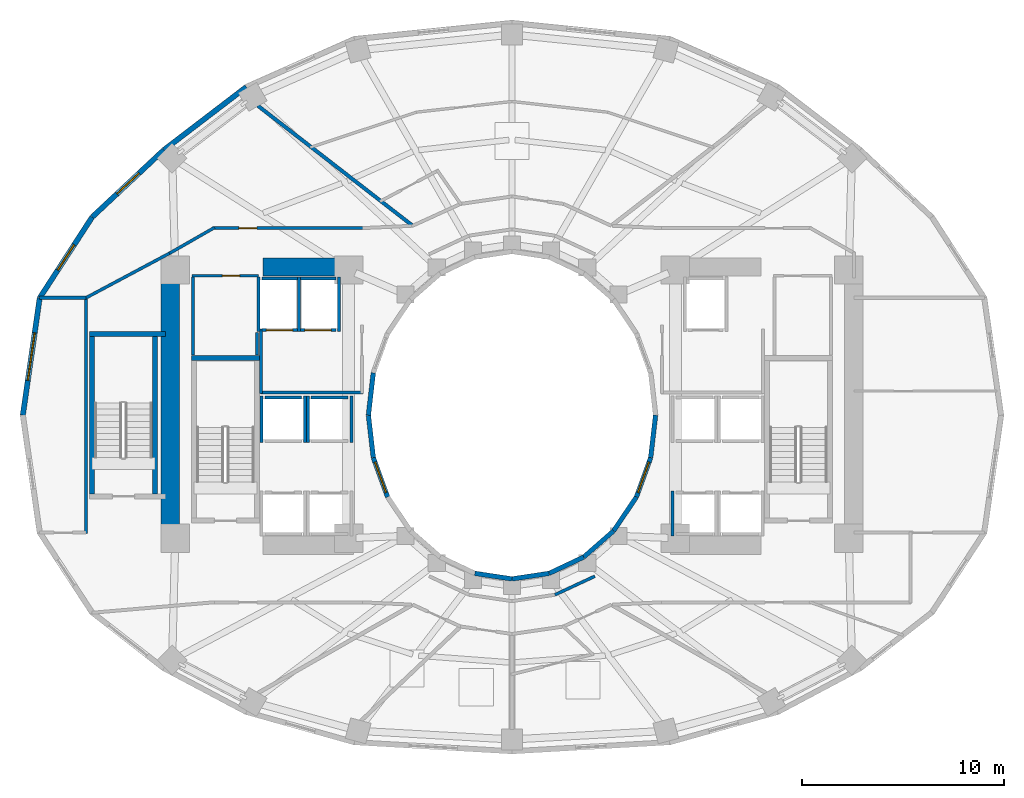
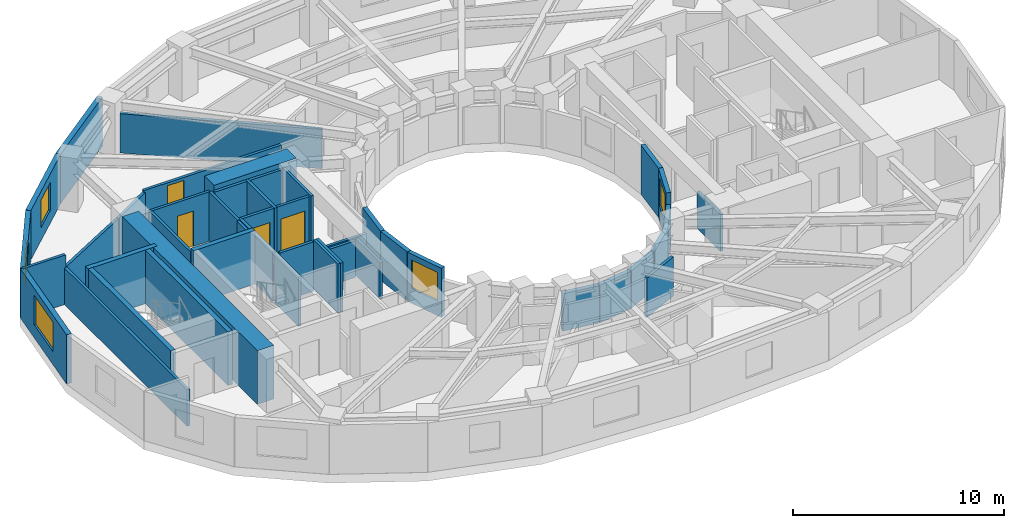
# One storey, part 4 of 9: 46 walls, 5 windows, 4 doors, 9 openings.
"""IFC4 building model written with IfcOpenShell, lengths in metres."""

from ifc_helpers import new_model, si_unit, direction, frame, frame_2d, origin, place, context, subcontext, project, spatial, rectangle, extrude, material, layer, layer_set, type_object, element, fill, save


model = new_model("IFC4")

# Units and contexts
model_context = context("Model", 3, precision=1e-05, world=origin(), true_north=direction((0.0, 1.0)))
body_context = subcontext(model_context, "Body", "Model", "MODEL_VIEW")
ifc_project = project(units=[si_unit("LENGTHUNIT", "METRE"), si_unit("AREAUNIT", "SQUARE_METRE"), si_unit("VOLUMEUNIT", "CUBIC_METRE"), si_unit("PLANEANGLEUNIT", "RADIAN"), si_unit("MASSUNIT", "GRAM", prefix="KILO")], contexts=[model_context])

# Site, building, storey
site_placement = place(None, origin())
site = spatial("IfcSite", under=ifc_project, at=site_placement, CompositionType="ELEMENT")
building_placement = place(site_placement, origin())
building = spatial("IfcBuilding", under=site, at=building_placement, Name="Solvane Sanctuary Tower", CompositionType="ELEMENT")
storey_placement = place(building_placement, frame((0.0, 0.0, 76.300048828125)))
storey = spatial("IfcBuildingStorey", under=building, at=storey_placement, Name="L22", CompositionType="ELEMENT", Elevation=76.300048828125)

# Walls
ifc_material_1 = material(Name="Concrete C70/85", Category="concrete")
ifc_layer_1 = layer(ifc_material_1, 0.89990234375, Name="Concrete C70/85")
ifc_layer_set_1 = layer_set([ifc_layer_1], Name="Concrete C70/85")
wall_type_1 = type_object("IfcWallType", Name="Wall W-CORE-900", PredefinedType="SHEAR", material=ifc_layer_set_1)
wall_1_placement = place(storey_placement, frame((15.050048828125, 17.050048828125, 0.0), z_axis=(0.0, 0.0, 1.0), x_axis=(0.0, 1.0, 0.0)))
element("IfcWall", 1, at=wall_1_placement, inside=storey, type_object=wall_type_1, Name="L22 Core Shear Wall WC-W", PredefinedType="SHEAR", context=body_context, shape_type="SweptSolid", body=[
    extrude(rectangle(XDim=12.800048828125, YDim=0.89990234375, at=frame_2d((6.39990234375, 0.0))), origin(), (0.0, 0.0, 1.0), 3.099853515625),
])
wall_2_placement = place(storey_placement, frame((19.64990234375, 30.35009765625, 0.0), z_axis=(0.0, 0.0, 1.0), x_axis=(1.0, 0.0, 0.0)))
element("IfcWall", 2, at=wall_2_placement, inside=storey, type_object=wall_type_1, Name="L22 Core Shear Wall WC-N", PredefinedType="SHEAR", context=body_context, shape_type="SweptSolid", body=[
    extrude(rectangle(XDim=4.5, YDim=0.89990234375, at=frame_2d((2.25, 0.0))), origin(), (0.0, 0.0, 1.0), 3.099853515625),
])
ifc_material_2 = material(Name="Acoustic Gypsum Partition Board")
ifc_layer_2 = layer(ifc_material_2, 0.14990234375, Name="Acoustic Gypsum Partition Board")
ifc_layer_set_2 = layer_set([ifc_layer_2], Name="Acoustic Gypsum Partition Board")
wall_type_2 = type_object("IfcWallType", Name="Wall W-CORR-150", PredefinedType="PARTITIONING", material=ifc_layer_set_2)
wall_3_placement = place(storey_placement, frame((19.52001953125, 24.1201171875, 0.0), z_axis=(0.0, 0.0, 1.0), x_axis=(1.0, 0.0, 0.0)))
element("IfcWall", 3, at=wall_3_placement, inside=storey, type_object=wall_type_2, Name="L22 West Firefighting Lobby South Wall", PredefinedType="PARTITIONING", context=body_context, shape_type="SweptSolid", body=[
    extrude(rectangle(XDim=5.080078125, YDim=0.14990234375, at=frame_2d((2.5400390625, 0.0))), origin(), (0.0, 0.0, 1.0), 2.119873046875),
])
wall_4_placement = place(storey_placement, frame((19.550048828125, 24.080078125, 0.0), z_axis=(0.0, 0.0, 1.0), x_axis=(0.0, 1.0, 0.0)))
element("IfcWall", 4, at=wall_4_placement, inside=storey, type_object=wall_type_2, Name="L22 West Firefighting Lobby West Wall", PredefinedType="PARTITIONING", context=body_context, shape_type="SweptSolid", body=[
    extrude(rectangle(XDim=3.199951171875, YDim=0.14990234375, at=frame_2d((1.60009765625, 0.0))), origin(), (0.0, 0.0, 1.0), 2.85498046875),
])
wall_5_placement = place(storey_placement, frame((34.12744140625, 14.09423828125, 0.0), z_axis=(0.0, 0.0, 1.0), x_axis=(0.906943449489, 0.421252393975, 0.0)))
element("IfcWall", 5, at=wall_5_placement, inside=storey, type_object=wall_type_2, Name="L22 Light-Well Corridor Rim Wall S4", PredefinedType="PARTITIONING", context=body_context, shape_type="SweptSolid", body=[
    extrude(rectangle(XDim=2.18603515625, YDim=0.14990234375, at=frame_2d((1.093017578125, 0.0))), origin(), (0.0, 0.0, 1.0), 2.27197265625),
])
wall_6_placement = place(storey_placement, frame((10.8798828125, 17.134765625, 0.0), z_axis=(0.0, 0.0, 1.0), x_axis=(0.0, 1.0, 0.0)))
element("IfcWall", 6, at=wall_6_placement, inside=storey, type_object=wall_type_2, Name="L22 West Shoulder Back Wall", PredefinedType="PARTITIONING", context=body_context, shape_type="SweptSolid", body=[
    extrude(rectangle(XDim=11.73046875, YDim=0.14990234375, at=frame_2d((5.865234375, 0.0))), origin(), (0.0, 0.0, 1.0), 2.119873046875),
])
wall_7_placement = place(storey_placement, frame((8.558349609375, 28.8251953125, 0.0), z_axis=(0.0, 0.0, 1.0), x_axis=(1.0, 0.0, 0.0)))
element("IfcWall", 7, at=wall_7_placement, inside=storey, type_object=wall_type_2, Name="L22 West Shoulder North Wall", PredefinedType="PARTITIONING", context=body_context, shape_type="SweptSolid", body=[
    extrude(rectangle(XDim=2.321533203125, YDim=0.14990234375, at=frame_2d((1.16064453125, 0.0))), origin(), (0.0, 0.0, 1.0), 2.85498046875),
])
wall_8_placement = place(storey_placement, frame((10.8447265625, 28.806396484375, 0.0), z_axis=(0.0, 0.0, 1.0), x_axis=(0.88227840565, 0.470727962759, 0.0)))
element("IfcWall", 8, at=wall_8_placement, inside=storey, type_object=wall_type_2, Name="L22 NW Corner Closer 1", PredefinedType="PARTITIONING", context=body_context, shape_type="SweptSolid", body=[
    extrude(rectangle(XDim=4.806396484375, YDim=0.14990234375, at=frame_2d((2.4033203125, 0.0))), origin(), (0.0, 0.0, 1.0), 2.141845703125),
])

# Wall, opening, door
wall_9_placement = place(storey_placement, frame((17.14990234375, 32.280029296875, 0.0), z_axis=(0.0, 0.0, 1.0), x_axis=(1.0, 0.0, 0.0)))
wall_9 = element("IfcWall", 9, at=wall_9_placement, inside=storey, type_object=wall_type_2, Name="L22 NW Corner Corridor Wall", PredefinedType="PARTITIONING", context=body_context, shape_type="SweptSolid", body=[
    extrude(rectangle(XDim=7.52001953125, YDim=0.14990234375, at=frame_2d((3.760009765625, 0.0))), origin(), (0.0, 0.0, 1.0), 2.27197265625),
])
opening_1_placement = place(wall_9_placement, frame((1.300048828125, 0.0, 0.0)))
opening_1 = element("IfcOpeningElement", 10, at=opening_1_placement, cuts=wall_9, Name="Opening D-L22-12", PredefinedType="OPENING", context=body_context, shape_type="SweptSolid", body=[
    extrude(rectangle(XDim=0.89990234375, YDim=2.10009765625, at=frame_2d((0.449951171875, 1.050048828125))), frame((0.0, 0.0849609375, 0.0), z_axis=(0.0, -1.0, 0.0), x_axis=(1.0, 0.0, 0.0)), (0.0, 0.0, 1.0), 0.169921875),
])
ifc_material_3 = material(Name="Engineered Tropical Hardwood", Category="wood")
door_type_1 = type_object("IfcDoorType", Name="Door D-WET-900", OperationType="NOTDEFINED", PredefinedType="DOOR", material=ifc_material_3)
door_1_placement = place(opening_1_placement, origin())
door_1 = element("IfcDoor", 11, at=door_1_placement, inside=storey, type_object=door_type_1, Name="L22 NW Corner Salon Door", OperationType="SINGLE_SWING_LEFT", OverallHeight=2.10009765625, OverallWidth=0.89990234375, PredefinedType="DOOR", context=body_context, shape_type="SweptSolid", body=[
    extrude(rectangle(XDim=0.89990234375, YDim=2.10009765625, at=frame_2d((0.449951171875, 1.050048828125))), frame((0.0, 0.02490234375, 0.0), z_axis=(0.0, -1.0, 0.0), x_axis=(1.0, 0.0, 0.0)), (0.0, 0.0, 1.0), 0.050048828125),
])
fill(opening_1, door_1)

# Walls
wall_10_placement = place(storey_placement, frame((17.243408203125, 32.3046875, 0.0), z_axis=(0.0, 0.0, 1.0), x_axis=(-0.867991349648, -0.496579315857, 0.0)))
element("IfcWall", 12, at=wall_10_placement, inside=storey, type_object=wall_type_2, Name="L22 NW Corner Wing Wall", PredefinedType="PARTITIONING", context=body_context, shape_type="SweptSolid", body=[
    extrude(rectangle(XDim=2.56689453125, YDim=0.14990234375, at=frame_2d((1.283447265625, 0.0))), origin(), (0.0, 0.0, 1.0), 2.141845703125),
])
ifc_material_4 = material(Name="Precast concrete C40/50", Category="concrete")
ifc_layer_3 = layer(ifc_material_4, 0.260009765625, Name="Precast concrete C40/50")
ifc_layer_set_3 = layer_set([ifc_layer_3], Name="Precast concrete C40/50")
wall_type_3 = type_object("IfcWallType", Name="Wall W-EXT-250", PredefinedType="STANDARD", material=ifc_layer_set_3)
wall_11_placement = place(storey_placement, frame((18.82666015625, 39.278076171875, 0.0), z_axis=(0.0, 0.0, 1.0), x_axis=(-0.794809810864, -0.606858603427, 0.0)))
element("IfcWall", 13, at=wall_11_placement, inside=storey, type_object=wall_type_3, Name="L22 Ceramic-Printed Facade Wall 08", PredefinedType="STANDARD", context=body_context, shape_type="SweptSolid", body=[
    extrude(rectangle(XDim=5.149169921875, YDim=0.260009765625, at=frame_2d((2.57470703125, 0.0))), origin(), (0.0, 0.0, 1.0), 2.849853515625),
])

# Wall, opening, window
wall_12_placement = place(storey_placement, frame((14.734130859375, 36.1533203125, 0.0), z_axis=(0.0, 0.0, 1.0), x_axis=(-0.730162452258, -0.68327358599, 0.0)))
wall_12 = element("IfcWall", 14, at=wall_12_placement, inside=storey, type_object=wall_type_3, Name="L22 Ceramic-Printed Facade Wall 09", PredefinedType="STANDARD", context=body_context, shape_type="SweptSolid", body=[
    extrude(rectangle(XDim=4.868408203125, YDim=0.260009765625, at=frame_2d((2.43408203125, 0.0))), origin(), (0.0, 0.0, 1.0), 2.849853515625),
])
opening_2_placement = place(wall_12_placement, frame((1.68408203125, 0.0, 0.75)))
opening_2 = element("IfcOpeningElement", 15, at=opening_2_placement, cuts=wall_12, Name="Opening WN-OPER-1500", PredefinedType="OPENING", context=body_context, shape_type="SweptSolid", body=[
    extrude(rectangle(XDim=1.5, YDim=1.60009765625, at=frame_2d((0.75, 0.800048828125))), frame((0.0, 0.139892578125, 0.0), z_axis=(0.0, -1.0, 0.0), x_axis=(1.0, 0.0, 0.0)), (0.0, 0.0, 1.0), 0.280029296875),
])
ifc_material_5 = material(Name="Dark Ceramic-Fritted Low-E Glass", Category="glass")
window_type_1 = type_object("IfcWindowType", Name="Window WN-OPER-1500", PartitioningType="SINGLE_PANEL", PredefinedType="WINDOW", material=ifc_material_5)
window_1_placement = place(opening_2_placement, origin())
window_1 = element("IfcWindow", 16, at=window_1_placement, inside=storey, type_object=window_type_1, Name="L22 Operable Facade Window 09", OverallHeight=1.60009765625, OverallWidth=1.5, PartitioningType="SINGLE_PANEL", PredefinedType="WINDOW", context=body_context, shape_type="SweptSolid", body=[
    extrude(rectangle(XDim=1.5, YDim=1.60009765625, at=frame_2d((0.75, 0.800048828125))), frame((0.0, 0.030029296875, 0.0), z_axis=(0.0, -1.0, 0.0), x_axis=(1.0, 0.0, 0.0)), (0.0, 0.0, 1.0), 0.06005859375),
])
fill(opening_2, window_1)

wall_13_placement = place(storey_placement, frame((11.179443359375, 32.826904296875, 0.0), z_axis=(0.0, 0.0, 1.0), x_axis=(-0.544388392991, -0.838833283541, 0.0)))
wall_13 = element("IfcWall", 17, at=wall_13_placement, inside=storey, type_object=wall_type_3, Name="L22 Ceramic-Printed Facade Wall 10", PredefinedType="STANDARD", context=body_context, shape_type="SweptSolid", body=[
    extrude(rectangle(XDim=4.7783203125, YDim=0.260009765625, at=frame_2d((2.38916015625, 0.0))), origin(), (0.0, 0.0, 1.0), 2.849853515625),
])
opening_3_placement = place(wall_13_placement, frame((1.63916015625, 0.0, 0.75)))
opening_3 = element("IfcOpeningElement", 18, at=opening_3_placement, cuts=wall_13, Name="Opening WN-OPER-1500", PredefinedType="OPENING", context=body_context, shape_type="SweptSolid", body=[
    extrude(rectangle(XDim=1.5, YDim=1.60009765625, at=frame_2d((0.75, 0.800048828125))), frame((0.0, 0.139892578125, 0.0), z_axis=(0.0, -1.0, 0.0), x_axis=(1.0, 0.0, 0.0)), (0.0, 0.0, 1.0), 0.280029296875),
])
window_2_placement = place(opening_3_placement, origin())
window_2 = element("IfcWindow", 19, at=window_2_placement, inside=storey, type_object=window_type_1, Name="L22 Operable Facade Window 10", OverallHeight=1.60009765625, OverallWidth=1.5, PartitioningType="SINGLE_PANEL", PredefinedType="WINDOW", context=body_context, shape_type="SweptSolid", body=[
    extrude(rectangle(XDim=1.5, YDim=1.60009765625, at=frame_2d((0.75, 0.800048828125))), frame((0.0, 0.030029296875, 0.0), z_axis=(0.0, -1.0, 0.0), x_axis=(1.0, 0.0, 0.0)), (0.0, 0.0, 1.0), 0.06005859375),
])
fill(opening_3, window_2)

wall_14_placement = place(storey_placement, frame((8.578125, 28.818603515625, 0.0), z_axis=(0.0, 0.0, 1.0), x_axis=(-0.142572472068, -0.98978436551, 0.0)))
wall_14 = element("IfcWall", 20, at=wall_14_placement, inside=storey, type_object=wall_type_3, Name="L22 Ceramic-Printed Facade Wall 11", PredefinedType="STANDARD", context=body_context, shape_type="SweptSolid", body=[
    extrude(rectangle(XDim=5.878662109375, YDim=0.260009765625, at=frame_2d((2.939453125, 0.0))), origin(), (0.0, 0.0, 1.0), 2.849853515625),
])
opening_4_placement = place(wall_14_placement, frame((1.739501953125, 0.0, 0.75)))
opening_4 = element("IfcOpeningElement", 21, at=opening_4_placement, cuts=wall_14, Name="Opening WN-RIB-2400", PredefinedType="OPENING", context=body_context, shape_type="SweptSolid", body=[
    extrude(rectangle(XDim=2.39990234375, YDim=1.699951171875, at=frame_2d((1.199951171875, 0.85009765625))), frame((0.0, 0.139892578125, 0.0), z_axis=(0.0, -1.0, 0.0), x_axis=(1.0, 0.0, 0.0)), (0.0, 0.0, 1.0), 0.280029296875),
])
window_type_2 = type_object("IfcWindowType", Name="Window WN-RIB-2400", PartitioningType="SINGLE_PANEL", PredefinedType="WINDOW", material=ifc_material_5)
window_3_placement = place(opening_4_placement, origin())
window_3 = element("IfcWindow", 22, at=window_3_placement, inside=storey, type_object=window_type_2, Name="L22 Operable Facade Window 11", OverallHeight=1.699951171875, OverallWidth=2.39990234375, PartitioningType="SINGLE_PANEL", PredefinedType="WINDOW", context=body_context, shape_type="SweptSolid", body=[
    extrude(rectangle(XDim=2.39990234375, YDim=1.699951171875, at=frame_2d((1.199951171875, 0.85009765625))), frame((0.0, 0.030029296875, 0.0), z_axis=(0.0, -1.0, 0.0), x_axis=(1.0, 0.0, 0.0)), (0.0, 0.0, 1.0), 0.06005859375),
])
fill(opening_4, window_3)

# Walls
ifc_layer_4 = layer(ifc_material_4, 0.22998046875, Name="Precast concrete C40/50")
ifc_layer_set_4 = layer_set([ifc_layer_4], Name="Precast concrete C40/50")
wall_type_4 = type_object("IfcWallType", Name="Wall W-EXT-SP220", PredefinedType="STANDARD", material=ifc_layer_set_4)
for number, where, z_axis, x_axis, name in (
    (23, (25.12255859375, 25.1015625, 0.0), (0.0, 0.0, 1.0), (-0.114711713601, -0.993398823617, 0.0), "L22 Central Light-Well Wall 11"),
    (24, (24.8798828125, 23.0, 0.0), (0.0, 0.0, 1.0), (0.114711713601, -0.993398823617, 0.0), "L22 Central Light-Well Wall 12"),
):
    element("IfcWall", number, at=place(storey_placement, frame(where, z_axis=z_axis, x_axis=x_axis)), inside=storey, type_object=wall_type_4, Name=name, PredefinedType="STANDARD", context=body_context, shape_type="SweptSolid", body=[
        extrude(rectangle(XDim=2.115478515625, YDim=0.22998046875, at=frame_2d((1.0576171875, 0.0))), origin(), (0.0, 0.0, 1.0), 2.83984375),
    ])

# Wall, opening, window
wall_15_placement = place(storey_placement, frame((25.12255859375, 20.8984375, 0.0), z_axis=(0.0, 0.0, 1.0), x_axis=(0.341423187295, -0.93990968033, 0.0)))
wall_15 = element("IfcWall", 25, at=wall_15_placement, inside=storey, type_object=wall_type_4, Name="L22 Central Light-Well Wall 13", PredefinedType="STANDARD", context=body_context, shape_type="SweptSolid", body=[
    extrude(rectangle(XDim=2.083740234375, YDim=0.22998046875, at=frame_2d((1.0419921875, 0.0))), origin(), (0.0, 0.0, 1.0), 2.83984375),
])
opening_5_placement = place(wall_15_placement, frame((0.24169921875, 0.0, 0.85009765625)))
opening_5 = element("IfcOpeningElement", 26, at=opening_5_placement, cuts=wall_15, Name="Opening WN-WELL-1600", PredefinedType="OPENING", context=body_context, shape_type="SweptSolid", body=[
    extrude(rectangle(XDim=1.60009765625, YDim=1.64990234375, at=frame_2d((0.800048828125, 0.824951171875))), frame((0.0, 0.125, 0.0), z_axis=(0.0, -1.0, 0.0), x_axis=(1.0, 0.0, 0.0)), (0.0, 0.0, 1.0), 0.25),
])
ifc_material_6 = material(Name="Clear Laminated Light-Well Glass", Category="glass")
window_type_3 = type_object("IfcWindowType", Name="Window WN-WELL-1600", PartitioningType="SINGLE_PANEL", PredefinedType="WINDOW", material=ifc_material_6)
window_4_placement = place(opening_5_placement, origin())
window_4 = element("IfcWindow", 27, at=window_4_placement, inside=storey, type_object=window_type_3, Name="L22 Light-Well Daylight Window 13", OverallHeight=1.64990234375, OverallWidth=1.60009765625, PartitioningType="SINGLE_PANEL", PredefinedType="WINDOW", context=body_context, shape_type="SweptSolid", body=[
    extrude(rectangle(XDim=1.60009765625, YDim=1.64990234375, at=frame_2d((0.800048828125, 0.824951171875))), frame((0.0, 0.030029296875, 0.0), z_axis=(0.0, -1.0, 0.0), x_axis=(1.0, 0.0, 0.0)), (0.0, 0.0, 1.0), 0.06005859375),
])
fill(opening_5, window_4)

# Walls
for number, where, z_axis, x_axis, name in (
    (28, (30.1572265625, 15.15673828125, 0.0), (0.0, 0.0, 1.0), (0.988901730308, -0.148571086668, 0.0), "L22 Central Light-Well Wall 17"),
    (29, (32.0, 14.8798828125, 0.0), (0.0, 0.0, 1.0), (0.988901730308, 0.148571086668, 0.0), "L22 Central Light-Well Wall 18"),
):
    element("IfcWall", number, at=place(storey_placement, frame(where, z_axis=z_axis, x_axis=x_axis)), inside=storey, type_object=wall_type_4, Name=name, PredefinedType="STANDARD", context=body_context, shape_type="SweptSolid", body=[
        extrude(rectangle(XDim=1.863525390625, YDim=0.22998046875, at=frame_2d((0.931640625, 0.0))), origin(), (0.0, 0.0, 1.0), 2.159912109375),
    ])
wall_16_placement = place(storey_placement, frame((33.8427734375, 15.15673828125, 0.0), z_axis=(0.0, 0.0, 1.0), x_axis=(0.904179699603, 0.427152280606, 0.0)))
element("IfcWall", 30, at=wall_16_placement, inside=storey, type_object=wall_type_4, Name="L22 Central Light-Well Wall 19", PredefinedType="STANDARD", context=body_context, shape_type="SweptSolid", body=[
    extrude(rectangle(XDim=1.899169921875, YDim=0.22998046875, at=frame_2d((0.94970703125, 0.0))), origin(), (0.0, 0.0, 1.0), 2.159912109375),
])
wall_17_placement = place(storey_placement, frame((35.56005859375, 15.968017578125, 0.0), z_axis=(0.0, 0.0, 1.0), x_axis=(0.752576694707, 0.658504607869, 0.0)))
element("IfcWall", 31, at=wall_17_placement, inside=storey, type_object=wall_type_4, Name="L22 Central Light-Well Wall 20", PredefinedType="STANDARD", context=body_context, shape_type="SweptSolid", body=[
    extrude(rectangle(XDim=1.95947265625, YDim=0.22998046875, at=frame_2d((0.979736328125, 0.0))), origin(), (0.0, 0.0, 1.0), 2.159912109375),
])
wall_18_placement = place(storey_placement, frame((37.03466796875, 17.25830078125, 0.0), z_axis=(0.0, 0.0, 1.0), x_axis=(0.558197800898, 0.829707909492, 0.0)))
element("IfcWall", 32, at=wall_18_placement, inside=storey, type_object=wall_type_4, Name="L22 Central Light-Well Wall 21", PredefinedType="STANDARD", context=body_context, shape_type="SweptSolid", body=[
    extrude(rectangle(XDim=2.02685546875, YDim=0.22998046875, at=frame_2d((1.013427734375, 0.0))), origin(), (0.0, 0.0, 1.0), 2.159912109375),
])

# Wall, opening, window
wall_19_placement = place(storey_placement, frame((38.166015625, 18.93994140625, 0.0), z_axis=(0.0, 0.0, 1.0), x_axis=(0.341423187295, 0.93990968033, 0.0)))
wall_19 = element("IfcWall", 33, at=wall_19_placement, inside=storey, type_object=wall_type_4, Name="L22 Central Light-Well Wall 22", PredefinedType="STANDARD", context=body_context, shape_type="SweptSolid", body=[
    extrude(rectangle(XDim=2.083740234375, YDim=0.22998046875, at=frame_2d((1.0419921875, 0.0))), origin(), (0.0, 0.0, 1.0), 2.83984375),
])
opening_6_placement = place(wall_19_placement, frame((0.24169921875, 0.0, 0.85009765625)))
opening_6 = element("IfcOpeningElement", 34, at=opening_6_placement, cuts=wall_19, Name="Opening WN-WELL-1600", PredefinedType="OPENING", context=body_context, shape_type="SweptSolid", body=[
    extrude(rectangle(XDim=1.60009765625, YDim=1.64990234375, at=frame_2d((0.800048828125, 0.824951171875))), frame((0.0, 0.125, 0.0), z_axis=(0.0, -1.0, 0.0), x_axis=(1.0, 0.0, 0.0)), (0.0, 0.0, 1.0), 0.25),
])
window_5_placement = place(opening_6_placement, origin())
window_5 = element("IfcWindow", 35, at=window_5_placement, inside=storey, type_object=window_type_3, Name="L22 Light-Well Daylight Window 22", OverallHeight=1.64990234375, OverallWidth=1.60009765625, PartitioningType="SINGLE_PANEL", PredefinedType="WINDOW", context=body_context, shape_type="SweptSolid", body=[
    extrude(rectangle(XDim=1.60009765625, YDim=1.64990234375, at=frame_2d((0.800048828125, 0.824951171875))), frame((0.0, 0.030029296875, 0.0), z_axis=(0.0, -1.0, 0.0), x_axis=(1.0, 0.0, 0.0)), (0.0, 0.0, 1.0), 0.06005859375),
])
fill(opening_6, window_5)

# Walls
wall_20_placement = place(storey_placement, frame((38.87744140625, 20.8984375, 0.0), z_axis=(0.0, 0.0, 1.0), x_axis=(0.114711713601, 0.993398823617, 0.0)))
element("IfcWall", 36, at=wall_20_placement, inside=storey, type_object=wall_type_4, Name="L22 Central Light-Well Wall 23", PredefinedType="STANDARD", context=body_context, shape_type="SweptSolid", body=[
    extrude(rectangle(XDim=2.115478515625, YDim=0.22998046875, at=frame_2d((1.0576171875, 0.0))), origin(), (0.0, 0.0, 1.0), 2.83984375),
])
ifc_material_7 = material(Name="Concrete C50/60", Category="concrete")
ifc_layer_5 = layer(ifc_material_7, 0.14990234375, Name="Concrete C50/60")
ifc_layer_set_5 = layer_set([ifc_layer_5], Name="Concrete C50/60")
wall_type_5 = type_object("IfcWallType", Name="Wall W-SHAFT-150", PredefinedType="SOLIDWALL", material=ifc_layer_set_5)
wall_21_placement = place(storey_placement, frame((39.969970703125, 17.02001953125, 0.0), z_axis=(0.0, 0.0, 1.0), x_axis=(0.0, 1.0, 0.0)))
element("IfcWall", 37, at=wall_21_placement, inside=storey, type_object=wall_type_5, Name="L22 PL-3 Lift Shaft Wall S1", PredefinedType="SOLIDWALL", context=body_context, shape_type="SweptSolid", body=[
    extrude(rectangle(XDim=2.219970703125, YDim=0.14990234375, at=frame_2d((1.10986328125, 0.0))), origin(), (0.0, 0.0, 1.0), 2.119873046875),
])
wall_22_placement = place(storey_placement, frame((19.739990234375, 23.8798828125, 0.0), z_axis=(0.0, 0.0, 1.0), x_axis=(1.0, 0.0, 0.0)))
element("IfcWall", 38, at=wall_22_placement, inside=storey, type_object=wall_type_5, Name="L22 PM-1 Lift Shaft Wall B", PredefinedType="SOLIDWALL", context=body_context, shape_type="SweptSolid", body=[
    extrude(rectangle(XDim=1.820068359375, YDim=0.14990234375, at=frame_2d((0.91015625, 0.0))), origin(), (0.0, 0.0, 1.0), 2.85498046875),
])
for number, where, z_axis, x_axis, name in (
    (39, (19.570068359375, 21.639892578125, 0.0), (0.0, 0.0, 1.0), (0.0, 1.0, 0.0), "L22 PM-1 Lift Shaft Wall S1"),
    (40, (21.72998046875, 21.639892578125, 0.0), (0.0, 0.0, 1.0), (0.0, 1.0, 0.0), "L22 PM-1 Lift Shaft Wall S2"),
):
    element("IfcWall", number, at=place(storey_placement, frame(where, z_axis=z_axis, x_axis=x_axis)), inside=storey, type_object=wall_type_5, Name=name, PredefinedType="SOLIDWALL", context=body_context, shape_type="SweptSolid", body=[
        extrude(rectangle(XDim=2.320068359375, YDim=0.14990234375, at=frame_2d((1.16015625, 0.0))), origin(), (0.0, 0.0, 1.0), 2.85498046875),
    ])
wall_23_placement = place(storey_placement, frame((22.0400390625, 23.8798828125, 0.0), z_axis=(0.0, 0.0, 1.0), x_axis=(1.0, 0.0, 0.0)))
element("IfcWall", 41, at=wall_23_placement, inside=storey, type_object=wall_type_5, Name="L22 PH-1 Lift Shaft Wall B", PredefinedType="SOLIDWALL", context=body_context, shape_type="SweptSolid", body=[
    extrude(rectangle(XDim=1.820068359375, YDim=0.14990234375, at=frame_2d((0.91015625, 0.0))), origin(), (0.0, 0.0, 1.0), 2.119873046875),
])
wall_24_placement = place(storey_placement, frame((21.8701171875, 21.639892578125, 0.0), z_axis=(0.0, 0.0, 1.0), x_axis=(0.0, 1.0, 0.0)))
element("IfcWall", 42, at=wall_24_placement, inside=storey, type_object=wall_type_5, Name="L22 PH-1 Lift Shaft Wall S1", PredefinedType="SOLIDWALL", context=body_context, shape_type="SweptSolid", body=[
    extrude(rectangle(XDim=2.320068359375, YDim=0.14990234375, at=frame_2d((1.16015625, 0.0))), origin(), (0.0, 0.0, 1.0), 2.85498046875),
])
wall_25_placement = place(storey_placement, frame((24.030029296875, 21.639892578125, 0.0), z_axis=(0.0, 0.0, 1.0), x_axis=(0.0, 1.0, 0.0)))
element("IfcWall", 43, at=wall_25_placement, inside=storey, type_object=wall_type_5, Name="L22 PH-1 Lift Shaft Wall S2", PredefinedType="SOLIDWALL", context=body_context, shape_type="SweptSolid", body=[
    extrude(rectangle(XDim=2.320068359375, YDim=0.14990234375, at=frame_2d((1.16015625, 0.0))), origin(), (0.0, 0.0, 1.0), 2.119873046875),
])

# Wall, opening, door
wall_26_placement = place(storey_placement, frame((19.590087890625, 27.219970703125, 0.0), z_axis=(0.0, 0.0, 1.0), x_axis=(1.0, 0.0, 0.0)))
wall_26 = element("IfcWall", 44, at=wall_26_placement, inside=storey, type_object=wall_type_5, Name="L22 FFL-1 Lift Shaft Wall F", PredefinedType="SOLIDWALL", context=body_context, shape_type="SweptSolid", body=[
    extrude(rectangle(XDim=1.760009765625, YDim=0.14990234375, at=frame_2d((0.8798828125, 0.0))), origin(), (0.0, 0.0, 1.0), 2.85498046875),
])
opening_7_placement = place(wall_26_placement, frame((0.22998046875, 0.0, 0.0)))
opening_7 = element("IfcOpeningElement", 45, at=opening_7_placement, cuts=wall_26, Name="Opening LD-L22-05", PredefinedType="OPENING", context=body_context, shape_type="SweptSolid", body=[
    extrude(rectangle(XDim=1.300048828125, YDim=2.10009765625, at=frame_2d((0.64990234375, 1.050048828125))), frame((0.0, 0.0849609375, 0.0), z_axis=(0.0, -1.0, 0.0), x_axis=(1.0, 0.0, 0.0)), (0.0, 0.0, 1.0), 0.169921875),
])
ifc_material_8 = material(Name="Architectural Stainless Steel 316", Category="steel")
door_type_2 = type_object("IfcDoorType", Name="Door LD-FFL-1300", OperationType="NOTDEFINED", PredefinedType="DOOR", material=ifc_material_8)
door_2_placement = place(opening_7_placement, origin())
door_2 = element("IfcDoor", 46, at=door_2_placement, inside=storey, type_object=door_type_2, Name="L22 FFL-1 Lift Landing Door", OperationType="DOUBLE_DOOR_SLIDING", OverallHeight=2.10009765625, OverallWidth=1.300048828125, PredefinedType="DOOR", context=body_context, shape_type="SweptSolid", body=[
    extrude(rectangle(XDim=1.300048828125, YDim=2.10009765625, at=frame_2d((0.64990234375, 1.050048828125))), frame((0.0, 0.02490234375, 0.0), z_axis=(0.0, -1.0, 0.0), x_axis=(1.0, 0.0, 0.0)), (0.0, 0.0, 1.0), 0.050048828125),
])
fill(opening_7, door_2)

# Walls
wall_27_placement = place(storey_placement, frame((19.590087890625, 29.780029296875, 0.0), z_axis=(0.0, 0.0, 1.0), x_axis=(1.0, 0.0, 0.0)))
element("IfcWall", 47, at=wall_27_placement, inside=storey, type_object=wall_type_5, Name="L22 FFL-1 Lift Shaft Wall B", PredefinedType="SOLIDWALL", context=body_context, shape_type="SweptSolid", body=[
    extrude(rectangle(XDim=1.760009765625, YDim=0.14990234375, at=frame_2d((0.8798828125, 0.0))), origin(), (0.0, 0.0, 1.0), 2.85498046875),
])
for number, where, z_axis, x_axis, name in (
    (48, (19.419921875, 27.139892578125, 0.0), (0.0, 0.0, 1.0), (0.0, 1.0, 0.0), "L22 FFL-1 Lift Shaft Wall S1"),
    (49, (21.425048828125, 27.139892578125, 0.0), (0.0, 0.0, 1.0), (0.0, 1.0, 0.0), "L22 FFL-1 Lift Shaft Wall S2"),
):
    element("IfcWall", number, at=place(storey_placement, frame(where, z_axis=z_axis, x_axis=x_axis)), inside=storey, type_object=wall_type_5, Name=name, PredefinedType="SOLIDWALL", context=body_context, shape_type="SweptSolid", body=[
        extrude(rectangle(XDim=2.72021484375, YDim=0.14990234375, at=frame_2d((1.360107421875, 0.0))), origin(), (0.0, 0.0, 1.0), 2.85498046875),
    ])

# Wall, opening, door
wall_28_placement = place(storey_placement, frame((21.5, 27.219970703125, 0.0), z_axis=(0.0, 0.0, 1.0), x_axis=(1.0, 0.0, 0.0)))
wall_28 = element("IfcWall", 50, at=wall_28_placement, inside=storey, type_object=wall_type_5, Name="L22 SVL-1 Lift Shaft Wall F", PredefinedType="SOLIDWALL", context=body_context, shape_type="SweptSolid", body=[
    extrude(rectangle(XDim=1.760009765625, YDim=0.14990234375, at=frame_2d((0.8798828125, 0.0))), origin(), (0.0, 0.0, 1.0), 2.85498046875),
])
opening_8_placement = place(wall_28_placement, frame((0.22998046875, 0.0, 0.0)))
opening_8 = element("IfcOpeningElement", 51, at=opening_8_placement, cuts=wall_28, Name="Opening LD-L22-06", PredefinedType="OPENING", context=body_context, shape_type="SweptSolid", body=[
    extrude(rectangle(XDim=1.300048828125, YDim=2.10009765625, at=frame_2d((0.64990234375, 1.050048828125))), frame((0.0, 0.0849609375, 0.0), z_axis=(0.0, -1.0, 0.0), x_axis=(1.0, 0.0, 0.0)), (0.0, 0.0, 1.0), 0.169921875),
])
door_3_placement = place(opening_8_placement, origin())
door_3 = element("IfcDoor", 52, at=door_3_placement, inside=storey, type_object=door_type_2, Name="L22 SVL-1 Lift Landing Door", OperationType="DOUBLE_DOOR_SLIDING", OverallHeight=2.10009765625, OverallWidth=1.300048828125, PredefinedType="DOOR", context=body_context, shape_type="SweptSolid", body=[
    extrude(rectangle(XDim=1.300048828125, YDim=2.10009765625, at=frame_2d((0.64990234375, 1.050048828125))), frame((0.0, 0.02490234375, 0.0), z_axis=(0.0, -1.0, 0.0), x_axis=(1.0, 0.0, 0.0)), (0.0, 0.0, 1.0), 0.050048828125),
])
fill(opening_8, door_3)

# Walls
wall_29_placement = place(storey_placement, frame((21.5, 29.780029296875, 0.0), z_axis=(0.0, 0.0, 1.0), x_axis=(1.0, 0.0, 0.0)))
element("IfcWall", 53, at=wall_29_placement, inside=storey, type_object=wall_type_5, Name="L22 SVL-1 Lift Shaft Wall B", PredefinedType="SOLIDWALL", context=body_context, shape_type="SweptSolid", body=[
    extrude(rectangle(XDim=1.760009765625, YDim=0.14990234375, at=frame_2d((0.8798828125, 0.0))), origin(), (0.0, 0.0, 1.0), 2.85498046875),
])
wall_30_placement = place(storey_placement, frame((23.429931640625, 27.139892578125, 0.0), z_axis=(0.0, 0.0, 1.0), x_axis=(0.0, 1.0, 0.0)))
element("IfcWall", 54, at=wall_30_placement, inside=storey, type_object=wall_type_5, Name="L22 SVL-1 Lift Shaft Wall S2", PredefinedType="SOLIDWALL", context=body_context, shape_type="SweptSolid", body=[
    extrude(rectangle(XDim=2.72021484375, YDim=0.14990234375, at=frame_2d((1.360107421875, 0.0))), origin(), (0.0, 0.0, 1.0), 2.85498046875),
])
ifc_layer_6 = layer(ifc_material_7, 0.25, Name="Concrete C50/60")
ifc_layer_set_6 = layer_set([ifc_layer_6], Name="Concrete C50/60")
wall_type_6 = type_object("IfcWallType", Name="Wall W-SHAFT-250", PredefinedType="SOLIDWALL", material=ifc_layer_set_6)
wall_31_placement = place(storey_placement, frame((16.10498046875, 25.830078125, 0.0), z_axis=(0.0, 0.0, 1.0), x_axis=(1.0, 0.0, 0.0)))
element("IfcWall", 55, at=wall_31_placement, inside=storey, type_object=wall_type_6, Name="L22 ST-1 Load-Bearing Shaft Wall N", PredefinedType="SOLIDWALL", context=body_context, shape_type="SweptSolid", body=[
    extrude(rectangle(XDim=3.3701171875, YDim=0.25, at=frame_2d((1.68505859375, 0.0))), origin(), (0.0, 0.0, 1.0), 3.099853515625),
])
wall_32_placement = place(storey_placement, frame((11.044921875, 27.030029296875, 0.0), z_axis=(0.0, 0.0, 1.0), x_axis=(1.0, 0.0, 0.0)))
element("IfcWall", 56, at=wall_32_placement, inside=storey, type_object=wall_type_6, Name="L22 ST-3 Load-Bearing Shaft Wall N", PredefinedType="SOLIDWALL", context=body_context, shape_type="SweptSolid", body=[
    extrude(rectangle(XDim=3.781982421875, YDim=0.25, at=frame_2d((1.89111328125, 0.0))), origin(), (0.0, 0.0, 1.0), 3.099853515625),
])
for number, where, z_axis, x_axis, name in (
    (57, (11.169921875, 19.094970703125, 0.0), (0.0, 0.0, 1.0), (0.0, 1.0, 0.0), "L22 ST-3 Load-Bearing Shaft Wall W"),
    (58, (14.2900390625, 19.094970703125, 0.0), (0.0, 0.0, 1.0), (0.0, 1.0, 0.0), "L22 ST-3 Load-Bearing Shaft Wall E"),
):
    element("IfcWall", number, at=place(storey_placement, frame(where, z_axis=z_axis, x_axis=x_axis)), inside=storey, type_object=wall_type_6, Name=name, PredefinedType="SOLIDWALL", context=body_context, shape_type="SweptSolid", body=[
        extrude(rectangle(XDim=7.81005859375, YDim=0.25, at=frame_2d((3.905029296875, 0.0))), origin(), (0.0, 0.0, 1.0), 3.099853515625),
    ])
ifc_layer_7 = layer(ifc_material_2, 0.179931640625, Name="Acoustic Gypsum Partition Board")
ifc_layer_set_7 = layer_set([ifc_layer_7], Name="Acoustic Gypsum Partition Board")
wall_type_7 = type_object("IfcWallType", Name="Wall W-UNIT-180", PredefinedType="PARTITIONING", material=ifc_layer_set_7)
wall_33_placement = place(storey_placement, frame((27.031494140625, 32.43017578125, 0.0), z_axis=(0.0, 0.0, 1.0), x_axis=(-0.790421780952, 0.612562983045, 0.0)))
element("IfcWall", 59, at=wall_33_placement, inside=storey, type_object=wall_type_7, Name="L22 Radial Compartment Wall 120", PredefinedType="PARTITIONING", context=body_context, shape_type="SweptSolid", body=[
    extrude(rectangle(XDim=9.662109375, YDim=0.179931640625, at=frame_2d((4.8310546875, 0.0))), origin(), (0.0, 0.0, 1.0), 2.27197265625),
])

# Wall, opening, door
ifc_layer_8 = layer(ifc_material_2, 0.139892578125, Name="Acoustic Gypsum Partition Board")
ifc_layer_set_8 = layer_set([ifc_layer_8], Name="Acoustic Gypsum Partition Board")
wall_type_8 = type_object("IfcWallType", Name="Wall W-WET-140", PredefinedType="PLUMBINGWALL", material=ifc_layer_set_8)
wall_34_placement = place(storey_placement, frame((16.1201171875, 29.919921875, 0.0), z_axis=(0.0, 0.0, 1.0), x_axis=(1.0, 0.0, 0.0)))
wall_34 = element("IfcWall", 60, at=wall_34_placement, inside=storey, type_object=wall_type_8, Name="L22 Core Service Front Wall KW0", PredefinedType="PLUMBINGWALL", context=body_context, shape_type="SweptSolid", body=[
    extrude(rectangle(XDim=3.2998046875, YDim=0.139892578125, at=frame_2d((1.64990234375, 0.0))), origin(), (0.0, 0.0, 1.0), 2.85498046875),
])
opening_9_placement = place(wall_34_placement, frame((1.515869140625, 0.0, 0.0)))
opening_9 = element("IfcOpeningElement", 61, at=opening_9_placement, cuts=wall_34, Name="Opening D-L22-06", PredefinedType="OPENING", context=body_context, shape_type="SweptSolid", body=[
    extrude(rectangle(XDim=0.85009765625, YDim=2.050048828125, at=frame_2d((0.425048828125, 1.02490234375))), frame((0.0, 0.079833984375, 0.0), z_axis=(0.0, -1.0, 0.0), x_axis=(1.0, 0.0, 0.0)), (0.0, 0.0, 1.0), 0.159912109375),
])
door_type_3 = type_object("IfcDoorType", Name="Door D-RISER", OperationType="NOTDEFINED", PredefinedType="DOOR", material=ifc_material_8)
door_4_placement = place(opening_9_placement, origin())
door_4 = element("IfcDoor", 62, at=door_4_placement, inside=storey, type_object=door_type_3, Name="L22 Core Service Room Door KW0-1", OperationType="SINGLE_SWING_LEFT", OverallHeight=2.050048828125, OverallWidth=0.85009765625, PredefinedType="DOOR", context=body_context, shape_type="SweptSolid", body=[
    extrude(rectangle(XDim=0.85009765625, YDim=2.050048828125, at=frame_2d((0.425048828125, 1.02490234375))), frame((0.0, 0.02490234375, 0.0), z_axis=(0.0, -1.0, 0.0), x_axis=(1.0, 0.0, 0.0)), (0.0, 0.0, 1.0), 0.050048828125),
])
fill(opening_9, door_4)

# Walls
wall_35_placement = place(storey_placement, frame((16.179931640625, 25.97998046875, 0.0), z_axis=(0.0, 0.0, 1.0), x_axis=(0.0, 1.0, 0.0)))
element("IfcWall", 63, at=wall_35_placement, inside=storey, type_object=wall_type_8, Name="L22 Core Service Side Wall KW0-1", PredefinedType="PLUMBINGWALL", context=body_context, shape_type="SweptSolid", body=[
    extrude(rectangle(XDim=3.880126953125, YDim=0.139892578125, at=frame_2d((1.93994140625, 0.0))), origin(), (0.0, 0.0, 1.0), 2.85498046875),
])
wall_36_placement = place(storey_placement, frame((19.360107421875, 25.97998046875, 0.0), z_axis=(0.0, 0.0, 1.0), x_axis=(0.0, 1.0, 0.0)))
element("IfcWall", 64, at=wall_36_placement, inside=storey, type_object=wall_type_8, Name="L22 Core Service Side Wall KW0-2", PredefinedType="PLUMBINGWALL", context=body_context, shape_type="SweptSolid", body=[
    extrude(rectangle(XDim=1.1201171875, YDim=0.139892578125, at=frame_2d((0.56005859375, 0.0))), origin(), (0.0, 0.0, 1.0), 2.85498046875),
])

save(model, "model.ifc")
